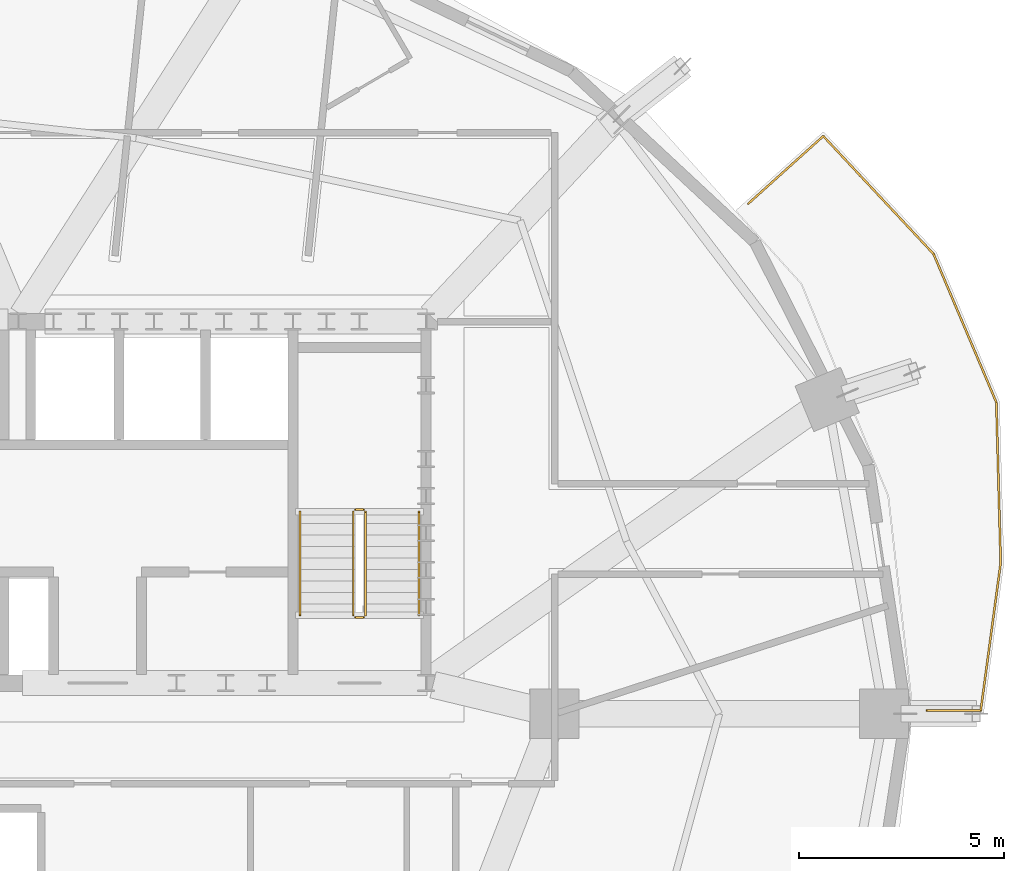
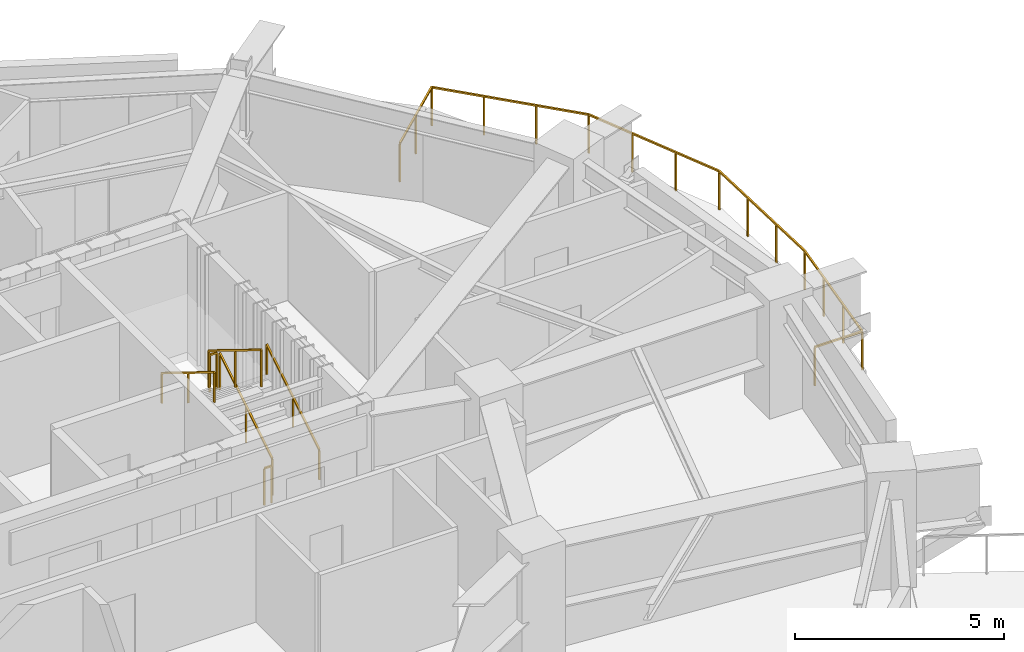
# One storey, part 13 of 14: 7 railings.
"""IFC4 building model written with IfcOpenShell, lengths in metres."""

from ifc_helpers import new_model, si_unit, direction, frame, origin, origin_2d, place, context, subcontext, project, spatial, rectangle, extrude, material, type_object, element, save


model = new_model("IFC4")

# Units and contexts
model_context = context("Model", 3, precision=1e-05, world=origin(), true_north=direction((0.0, 1.0)))
body_context = subcontext(model_context, "Body", "Model", "MODEL_VIEW")
ifc_project = project(units=[si_unit("LENGTHUNIT", "METRE"), si_unit("AREAUNIT", "SQUARE_METRE"), si_unit("VOLUMEUNIT", "CUBIC_METRE"), si_unit("PLANEANGLEUNIT", "RADIAN"), si_unit("MASSUNIT", "GRAM", prefix="KILO")], contexts=[model_context])

# Site, building, storey
site_placement = place(None, origin())
site = spatial("IfcSite", under=ifc_project, at=site_placement, CompositionType="ELEMENT")
building_placement = place(site_placement, origin())
building = spatial("IfcBuilding", under=site, at=building_placement, Name="Haldorwick Loom Tower", CompositionType="ELEMENT")
storey_placement = place(building_placement, frame((0.0, 0.0, 182.050048828125)))
storey = spatial("IfcBuildingStorey", under=building, at=storey_placement, Name="L49", CompositionType="ELEMENT", Elevation=182.050048828125)

# Railings
ifc_material_1 = material(Name="Galvanized Steel CSA G40.21 350W", Category="steel")
railing_type_1 = type_object("IfcRailingType", Name="ARC-RLG-BAL115", PredefinedType="BALUSTRADE", material=ifc_material_1)
railing_1_placement = place(storey_placement, frame((57.912353515625, 38.41748046875, 0.0)))
element("IfcRailing", 1, at=railing_1_placement, inside=storey, type_object=railing_type_1, Name="L49 Outdoor Terrace Guardrail SLB-L49-BAL_ENE-1", PredefinedType="BALUSTRADE", context=body_context, shape_type="SweptSolid", body=[
    extrude(rectangle(XDim=0.048095703125, YDim=0.048095703125, at=origin_2d()), frame((0.0, 0.0, 1.1259765625), z_axis=(0.74343228508, 0.668811212152, 0.0), x_axis=(-0.668811212152, 0.74343228508, 0.0)), (0.0, 0.0, 1.0), 2.46044921875),
    extrude(rectangle(XDim=0.048095703125, YDim=0.048095703125, at=origin_2d()), frame((1.8291015625, 1.6455078125, 1.1259765625), z_axis=(0.683138961253, -0.73028840852, 0.0), x_axis=(0.73028840852, 0.683138961253, 0.0)), (0.0, 0.0, 1.0), 3.93017578125),
    extrude(rectangle(XDim=0.048095703125, YDim=0.048095703125, at=origin_2d()), frame((4.513916015625, -1.224609375, 1.1259765625), z_axis=(0.389591209707, -0.920987887716, 0.0), x_axis=(0.920987887716, 0.389591209707, 0.0)), (0.0, 0.0, 1.0), 3.91845703125),
    extrude(rectangle(XDim=0.048095703125, YDim=0.048095703125, at=origin_2d()), frame((6.04052734375, -4.83349609375, 1.1259765625), z_axis=(0.0273664576, -0.999625468362, 0.0), x_axis=(0.999625468362, 0.0273664576, 0.0)), (0.0, 0.0, 1.0), 3.907470703125),
    extrude(rectangle(XDim=0.048095703125, YDim=0.048095703125, at=origin_2d()), frame((6.1474609375, -8.739501953125, 1.1259765625), z_axis=(-0.133951807797, -0.990987847144, 0.0), x_axis=(0.990987847144, -0.133951807797, 0.0)), (0.0, 0.0, 1.0), 3.630615234375),
    extrude(rectangle(XDim=0.048095703125, YDim=0.048095703125, at=origin_2d()), frame((5.6611328125, -12.33740234375, 1.1259765625), z_axis=(-1.0, 0.0, 0.0), x_axis=(0.0, -1.0, 0.0)), (0.0, 0.0, 1.0), 1.313232421875),
    extrude(rectangle(XDim=0.0419921875, YDim=0.0419921875, at=origin_2d()), origin(), (0.0, 0.0, 1.0), 1.101806640625),
    extrude(rectangle(XDim=0.0419921875, YDim=0.0419921875, at=origin_2d()), frame((0.91455078125, 0.82275390625, 0.0)), (0.0, 0.0, 1.0), 1.101806640625),
    extrude(rectangle(XDim=0.0419921875, YDim=0.0419921875, at=origin_2d()), frame((1.8291015625, 1.6455078125, 0.0)), (0.0, 0.0, 1.0), 1.101806640625),
    extrude(rectangle(XDim=0.0419921875, YDim=0.0419921875, at=origin_2d()), frame((2.72412109375, 0.688720703125, 0.0)), (0.0, 0.0, 1.0), 1.101806640625),
    extrude(rectangle(XDim=0.0419921875, YDim=0.0419921875, at=origin_2d()), frame((3.618896484375, -0.267822265625, 0.0)), (0.0, 0.0, 1.0), 1.101806640625),
    extrude(rectangle(XDim=0.0419921875, YDim=0.0419921875, at=origin_2d()), frame((4.513916015625, -1.224609375, 0.0)), (0.0, 0.0, 1.0), 1.101806640625),
    extrude(rectangle(XDim=0.0419921875, YDim=0.0419921875, at=origin_2d()), frame((5.022705078125, -2.427490234375, 0.0)), (0.0, 0.0, 1.0), 1.101806640625),
    extrude(rectangle(XDim=0.0419921875, YDim=0.0419921875, at=origin_2d()), frame((5.53173828125, -3.630615234375, 0.0)), (0.0, 0.0, 1.0), 1.101806640625),
    extrude(rectangle(XDim=0.0419921875, YDim=0.0419921875, at=origin_2d()), frame((6.04052734375, -4.83349609375, 0.0)), (0.0, 0.0, 1.0), 1.101806640625),
    extrude(rectangle(XDim=0.0419921875, YDim=0.0419921875, at=origin_2d()), frame((6.076171875, -6.135498046875, 0.0)), (0.0, 0.0, 1.0), 1.101806640625),
    extrude(rectangle(XDim=0.0419921875, YDim=0.0419921875, at=origin_2d()), frame((6.11181640625, -7.4375, 0.0)), (0.0, 0.0, 1.0), 1.101806640625),
    extrude(rectangle(XDim=0.0419921875, YDim=0.0419921875, at=origin_2d()), frame((6.1474609375, -8.739501953125, 0.0)), (0.0, 0.0, 1.0), 1.101806640625),
    extrude(rectangle(XDim=0.0419921875, YDim=0.0419921875, at=origin_2d()), frame((5.9853515625, -9.938720703125, 0.0)), (0.0, 0.0, 1.0), 1.101806640625),
    extrude(rectangle(XDim=0.0419921875, YDim=0.0419921875, at=origin_2d()), frame((5.8232421875, -11.13818359375, 0.0)), (0.0, 0.0, 1.0), 1.101806640625),
    extrude(rectangle(XDim=0.0419921875, YDim=0.0419921875, at=origin_2d()), frame((5.6611328125, -12.33740234375, 0.0)), (0.0, 0.0, 1.0), 1.101806640625),
    extrude(rectangle(XDim=0.0419921875, YDim=0.0419921875, at=origin_2d()), frame((4.347900390625, -12.33740234375, 0.0)), (0.0, 0.0, 1.0), 1.101806640625),
])
ifc_material_2 = material(Name="Steel CSA G40.21 350W", Category="steel")
railing_type_2 = type_object("IfcRailingType", Name="ARC-RLG-GUARD112", PredefinedType="GUARDRAIL", material=ifc_material_2)
railing_2_placement = place(storey_placement, frame((48.60009765625, 28.39990234375, 0.17236328125)))
element("IfcRailing", 2, at=railing_2_placement, inside=storey, type_object=railing_type_2, Name="L49 ST-02 stair guard 1", PredefinedType="GUARDRAIL", context=body_context, shape_type="SweptSolid", body=[
    extrude(rectangle(XDim=0.048095703125, YDim=0.048095703125, at=origin_2d()), frame((0.0, 0.0, 1.076171875), z_axis=(0.0, 0.851400495292, 0.524516154772), x_axis=(-1.0, 0.0, 0.0)), (0.0, 0.0, 1.0), 2.9599609375),
    extrude(rectangle(XDim=0.0419921875, YDim=0.0419921875, at=origin_2d()), origin(), (0.0, 0.0, 1.0), 1.052001953125),
    extrude(rectangle(XDim=0.0419921875, YDim=0.0419921875, at=origin_2d()), frame((0.0, 1.260009765625, 0.7763671875)), (0.0, 0.0, 1.0), 1.052001953125),
    extrude(rectangle(XDim=0.0419921875, YDim=0.0419921875, at=origin_2d()), frame((0.0, 2.52001953125, 1.552490234375)), (0.0, 0.0, 1.0), 1.052001953125),
])
railing_3_placement = place(storey_placement, frame((48.550048828125, 30.969970703125, 1.724853515625)))
element("IfcRailing", 3, at=railing_3_placement, inside=storey, type_object=railing_type_2, Name="L49 ST-02 stair guard 2", PredefinedType="GUARDRAIL", context=body_context, shape_type="SweptSolid", body=[
    extrude(rectangle(XDim=0.048095703125, YDim=0.048095703125, at=origin_2d()), frame((0.0, 0.0, 1.076171875), z_axis=(-1.0, 0.0, 0.0), x_axis=(0.0, -1.0, 0.0)), (0.0, 0.0, 1.0), 0.199951171875),
    extrude(rectangle(XDim=0.0419921875, YDim=0.0419921875, at=origin_2d()), origin(), (0.0, 0.0, 1.0), 1.052001953125),
    extrude(rectangle(XDim=0.0419921875, YDim=0.0419921875, at=origin_2d()), frame((-0.199951171875, 0.0, 0.0)), (0.0, 0.0, 1.0), 1.052001953125),
])
railing_4_placement = place(storey_placement, frame((48.300048828125, 30.919921875, 1.8974609375)))
element("IfcRailing", 4, at=railing_4_placement, inside=storey, type_object=railing_type_2, Name="L49 ST-02 stair guard 3", PredefinedType="GUARDRAIL", context=body_context, shape_type="SweptSolid", body=[
    extrude(rectangle(XDim=0.048095703125, YDim=0.048095703125, at=origin_2d()), frame((0.0, 0.0, 1.076171875), z_axis=(0.0, -0.851400495292, 0.524516154772), x_axis=(1.0, 0.0, 0.0)), (0.0, 0.0, 1.0), 2.9599609375),
    extrude(rectangle(XDim=0.0419921875, YDim=0.0419921875, at=origin_2d()), origin(), (0.0, 0.0, 1.0), 1.052001953125),
    extrude(rectangle(XDim=0.0419921875, YDim=0.0419921875, at=origin_2d()), frame((0.0, -1.260009765625, 0.7763671875)), (0.0, 0.0, 1.0), 1.052001953125),
    extrude(rectangle(XDim=0.0419921875, YDim=0.0419921875, at=origin_2d()), frame((0.0, -2.52001953125, 1.552490234375)), (0.0, 0.0, 1.0), 1.052001953125),
])
railing_5_placement = place(storey_placement, frame((48.550048828125, 28.35009765625, 0.0)))
element("IfcRailing", 5, at=railing_5_placement, inside=storey, type_object=railing_type_2, Name="L49 ST-02 stair guard 4", PredefinedType="GUARDRAIL", context=body_context, shape_type="SweptSolid", body=[
    extrude(rectangle(XDim=0.048095703125, YDim=0.048095703125, at=origin_2d()), frame((0.0, 0.0, 1.076171875), z_axis=(-1.0, 0.0, 0.0), x_axis=(0.0, -1.0, 0.0)), (0.0, 0.0, 1.0), 0.199951171875),
    extrude(rectangle(XDim=0.0419921875, YDim=0.0419921875, at=origin_2d()), origin(), (0.0, 0.0, 1.0), 1.052001953125),
    extrude(rectangle(XDim=0.0419921875, YDim=0.0419921875, at=origin_2d()), frame((-0.199951171875, 0.0, 0.0)), (0.0, 0.0, 1.0), 1.052001953125),
])
railing_type_3 = type_object("IfcRailingType", Name="ARC-RLG-HAND092", PredefinedType="HANDRAIL", material=ifc_material_2)
railing_6_placement = place(storey_placement, frame((49.89990234375, 28.39990234375, 0.17236328125)))
element("IfcRailing", 6, at=railing_6_placement, inside=storey, type_object=railing_type_3, Name="L49 ST-02 stair handrail 1", PredefinedType="HANDRAIL", context=body_context, shape_type="SweptSolid", body=[
    extrude(rectangle(XDim=0.048095703125, YDim=0.048095703125, at=origin_2d()), frame((0.0, 0.0, 0.8759765625), z_axis=(0.0, 0.851400495292, 0.524516154772), x_axis=(-1.0, 0.0, 0.0)), (0.0, 0.0, 1.0), 2.9599609375),
    extrude(rectangle(XDim=0.0419921875, YDim=0.0419921875, at=origin_2d()), origin(), (0.0, 0.0, 1.0), 0.851806640625),
    extrude(rectangle(XDim=0.0419921875, YDim=0.0419921875, at=origin_2d()), frame((0.0, 1.260009765625, 0.7763671875)), (0.0, 0.0, 1.0), 0.851806640625),
    extrude(rectangle(XDim=0.0419921875, YDim=0.0419921875, at=origin_2d()), frame((0.0, 2.52001953125, 1.552490234375)), (0.0, 0.0, 1.0), 0.851806640625),
])
railing_7_placement = place(storey_placement, frame((47.0, 30.919921875, 1.8974609375)))
element("IfcRailing", 7, at=railing_7_placement, inside=storey, type_object=railing_type_3, Name="L49 ST-02 stair handrail 2", PredefinedType="HANDRAIL", context=body_context, shape_type="SweptSolid", body=[
    extrude(rectangle(XDim=0.048095703125, YDim=0.048095703125, at=origin_2d()), frame((0.0, 0.0, 0.8759765625), z_axis=(0.0, -0.851400495292, 0.524516154772), x_axis=(1.0, 0.0, 0.0)), (0.0, 0.0, 1.0), 2.9599609375),
    extrude(rectangle(XDim=0.0419921875, YDim=0.0419921875, at=origin_2d()), origin(), (0.0, 0.0, 1.0), 0.851806640625),
    extrude(rectangle(XDim=0.0419921875, YDim=0.0419921875, at=origin_2d()), frame((0.0, -1.260009765625, 0.7763671875)), (0.0, 0.0, 1.0), 0.851806640625),
    extrude(rectangle(XDim=0.0419921875, YDim=0.0419921875, at=origin_2d()), frame((0.0, -2.52001953125, 1.552490234375)), (0.0, 0.0, 1.0), 0.851806640625),
])

save(model, "model.ifc")
